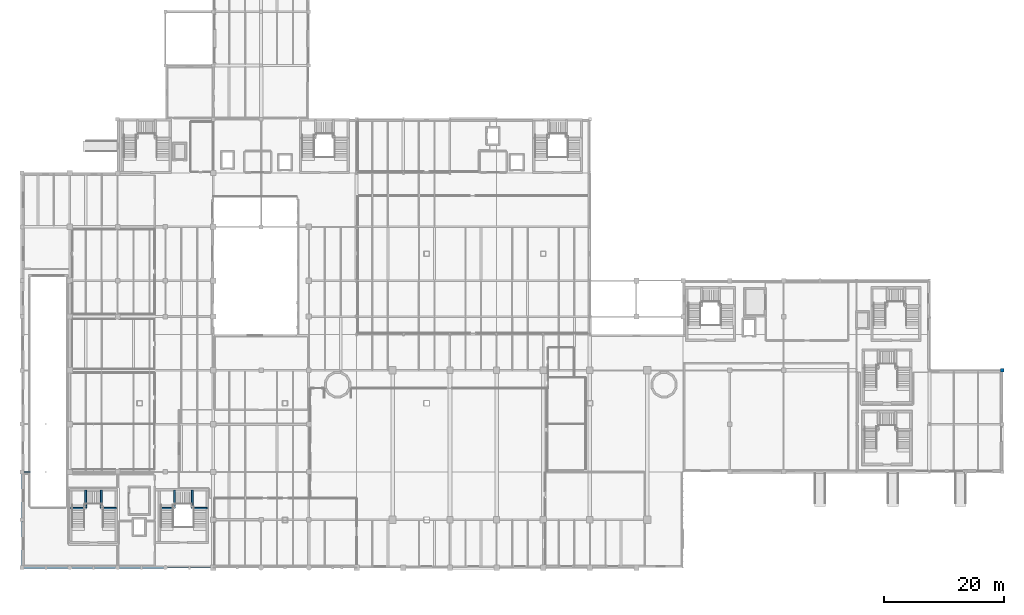
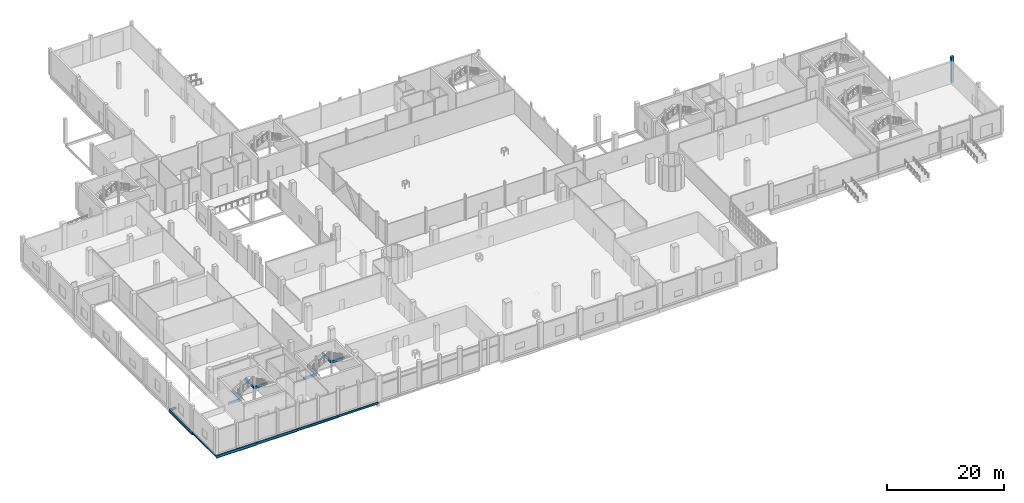
# One storey, part 16 of 57: 15 beams, 1 column.
"""IFC4 building model written with IfcOpenShell, lengths in metres."""

from ifc_helpers import new_model, si_unit, derived_unit, direction, frame, origin, origin_2d, place, context, subcontext, project, spatial, rectangle, i_section, extrude, material, material_profile, profile_set, type_object, element, save


model = new_model("IFC4")

# Units and contexts
model_context = context("Model", 3, precision=1e-05, world=origin(), true_north=direction((0.0, 1.0)))
body_context = subcontext(model_context, "Body", "Model", "MODEL_VIEW")
ifc_project = project(units=[si_unit("LENGTHUNIT", "METRE"), si_unit("AREAUNIT", "SQUARE_METRE"), si_unit("VOLUMEUNIT", "CUBIC_METRE"), si_unit("PLANEANGLEUNIT", "RADIAN"), si_unit("MASSUNIT", "GRAM", prefix="KILO"), derived_unit("THERMALTRANSMITTANCEUNIT", [(si_unit("POWERUNIT", "WATT"), 1), (si_unit("LENGTHUNIT", "METRE"), -2), (si_unit("THERMODYNAMICTEMPERATUREUNIT", "KELVIN"), -1)])], contexts=[model_context])

# Site, building, storey
site_placement = place(None, origin())
site = spatial("IfcSite", under=ifc_project, at=site_placement, CompositionType="ELEMENT")
building_placement = place(site_placement, origin())
building = spatial("IfcBuilding", under=site, at=building_placement, Name="Nallur Shell Playhouse", CompositionType="ELEMENT")
storey_placement = place(building_placement, origin())
storey = spatial("IfcBuildingStorey", under=building, at=storey_placement, Name="L01", CompositionType="ELEMENT", Elevation=0.0)

# Column
ifc_material_1 = material(Name="Concrete M35", Category="concrete")
ifc_material_profile_1 = material_profile(ifc_material_1, rectangle(XDim=0.550048828125, YDim=0.550048828125, at=origin_2d()), Name="RC 550x550")
ifc_profile_set_1 = profile_set([ifc_material_profile_1], Name="Concrete M35")
column_type = type_object("IfcColumnType", Name="CL-RC-550", PredefinedType="COLUMN", material=ifc_profile_set_1)
column_placement = place(storey_placement, frame((172.0, 41.0, 0.0), z_axis=(0.0, 0.0, 1.0), x_axis=(1.0, 0.0, 0.0)))
element("IfcColumn", 1, at=column_placement, inside=storey, type_object=column_type, Name="Column 20-E (L01)", PredefinedType="COLUMN", context=body_context, shape_type="SweptSolid", body=[
    extrude(rectangle(XDim=0.550048828125, YDim=0.550048828125, at=origin_2d()), origin(), (0.0, 0.0, 1.0), 5.360107421875),
])

# Beams
ifc_material_profile_2 = material_profile(ifc_material_1, rectangle(XDim=0.300048828125, YDim=0.449951171875, at=origin_2d()), Name="RC 300x450")
ifc_profile_set_2 = profile_set([ifc_material_profile_2], Name="Concrete M35")
beam_type_1 = type_object("IfcBeamType", Name="BM-SPN-300x450", PredefinedType="SPANDREL", material=ifc_profile_set_2)
beam_1_placement = place(storey_placement, frame((31.02001953125, 17.97998046875, 1.580810546875), z_axis=(1.0, 0.0, 0.0), x_axis=(0.0, 1.0, 0.0)))
element("IfcBeam", 2, at=beam_1_placement, inside=storey, type_object=beam_type_1, Name="Stair ST-01-L01 L1 south bearer beam", PredefinedType="SPANDREL", context=body_context, shape_type="SweptSolid", body=[
    extrude(rectangle(XDim=0.300048828125, YDim=0.449951171875, at=origin_2d()), origin(), (0.0, 0.0, 1.0), 2.56005859375),
])
beam_2_placement = place(storey_placement, frame((33.52001953125, 17.97998046875, 1.580810546875), z_axis=(0.0, 1.0, 0.0), x_axis=(-1.0, 0.0, 0.0)))
element("IfcBeam", 3, at=beam_2_placement, inside=storey, type_object=beam_type_1, Name="Stair ST-01-L01 L1 east bearer beam", PredefinedType="SPANDREL", context=body_context, shape_type="SweptSolid", body=[
    extrude(rectangle(XDim=0.300048828125, YDim=0.449951171875, at=origin_2d()), origin(), (0.0, 0.0, 1.0), 3.0),
])
beam_3_placement = place(storey_placement, frame((36.419921875, 17.97998046875, 3.12353515625), z_axis=(1.0, 0.0, 0.0), x_axis=(0.0, 1.0, 0.0)))
element("IfcBeam", 4, at=beam_3_placement, inside=storey, type_object=beam_type_1, Name="Stair ST-01-L01 L2 south bearer beam", PredefinedType="SPANDREL", context=body_context, shape_type="SweptSolid", body=[
    extrude(rectangle(XDim=0.300048828125, YDim=0.449951171875, at=origin_2d()), origin(), (0.0, 0.0, 1.0), 2.56005859375),
])
beam_4_placement = place(storey_placement, frame((36.47998046875, 17.97998046875, 3.12353515625), z_axis=(0.0, 1.0, 0.0), x_axis=(-1.0, 0.0, 0.0)))
element("IfcBeam", 5, at=beam_4_placement, inside=storey, type_object=beam_type_1, Name="Stair ST-01-L01 L2 west bearer beam", PredefinedType="SPANDREL", context=body_context, shape_type="SweptSolid", body=[
    extrude(rectangle(XDim=0.300048828125, YDim=0.449951171875, at=origin_2d()), origin(), (0.0, 0.0, 1.0), 3.0),
])
beam_5_placement = place(storey_placement, frame((16.169921875, 17.97998046875, 1.580810546875), z_axis=(1.0, 0.0, 0.0), x_axis=(0.0, 1.0, 0.0)))
element("IfcBeam", 6, at=beam_5_placement, inside=storey, type_object=beam_type_1, Name="Stair ST-07-L01 L1 south bearer beam", PredefinedType="SPANDREL", context=body_context, shape_type="SweptSolid", body=[
    extrude(rectangle(XDim=0.300048828125, YDim=0.449951171875, at=origin_2d()), origin(), (0.0, 0.0, 1.0), 2.56005859375),
])
beam_6_placement = place(storey_placement, frame((18.669921875, 17.97998046875, 1.580810546875), z_axis=(0.0, 1.0, 0.0), x_axis=(-1.0, 0.0, 0.0)))
element("IfcBeam", 7, at=beam_6_placement, inside=storey, type_object=beam_type_1, Name="Stair ST-07-L01 L1 east bearer beam", PredefinedType="SPANDREL", context=body_context, shape_type="SweptSolid", body=[
    extrude(rectangle(XDim=0.300048828125, YDim=0.449951171875, at=origin_2d()), origin(), (0.0, 0.0, 1.0), 3.0),
])
beam_7_placement = place(storey_placement, frame((21.219970703125, 17.97998046875, 3.12353515625), z_axis=(1.0, 0.0, 0.0), x_axis=(0.0, 1.0, 0.0)))
element("IfcBeam", 8, at=beam_7_placement, inside=storey, type_object=beam_type_1, Name="Stair ST-07-L01 L2 south bearer beam", PredefinedType="SPANDREL", context=body_context, shape_type="SweptSolid", body=[
    extrude(rectangle(XDim=0.300048828125, YDim=0.449951171875, at=origin_2d()), origin(), (0.0, 0.0, 1.0), 2.56005859375),
])
beam_8_placement = place(storey_placement, frame((21.280029296875, 17.97998046875, 3.12353515625), z_axis=(0.0, 1.0, 0.0), x_axis=(-1.0, 0.0, 0.0)))
element("IfcBeam", 9, at=beam_8_placement, inside=storey, type_object=beam_type_1, Name="Stair ST-07-L01 L2 west bearer beam", PredefinedType="SPANDREL", context=body_context, shape_type="SweptSolid", body=[
    extrude(rectangle(XDim=0.300048828125, YDim=0.449951171875, at=origin_2d()), origin(), (0.0, 0.0, 1.0), 3.0),
])
ifc_material_2 = material(Name="Steel E350", Category="steel")
ifc_material_profile_3 = material_profile(ifc_material_2, i_section(OverallWidth=0.179931640625, OverallDepth=0.5, WebThickness=0.01025390625, FlangeThickness=0.01708984375, FilletRadius=0.01708984375, at=origin_2d()), Name="ISMB 500")
ifc_profile_set_3 = profile_set([ifc_material_profile_3], Name="Steel E350")
beam_type_2 = type_object("IfcBeamType", Name="BM-ST-ISMB500", PredefinedType="BEAM", material=ifc_profile_set_3)
beam_9_placement = place(storey_placement, frame((8.0, 24.0, -0.570068359375), z_axis=(1.0, 0.0, 0.0), x_axis=(0.0, 1.0, 0.0)))
element("IfcBeam", 10, at=beam_9_placement, inside=storey, type_object=beam_type_2, Name="L01 west ramp-edge support beam Y=24.0", PredefinedType="BEAM", context=body_context, shape_type="SweptSolid", body=[
    extrude(i_section(OverallWidth=0.179931640625, OverallDepth=0.5, WebThickness=0.01025390625, FlangeThickness=0.01708984375, FilletRadius=0.01708984375, at=origin_2d()), origin(), (0.0, 0.0, 1.0), 1.39990234375),
])
ifc_material_profile_4 = material_profile(ifc_material_2, i_section(OverallWidth=0.2099609375, OverallDepth=0.60009765625, WebThickness=0.011962890625, FlangeThickness=0.020751953125, FilletRadius=0.02001953125, at=origin_2d()), Name="ISMB 600")
ifc_profile_set_4 = profile_set([ifc_material_profile_4], Name="Steel E350")
beam_type_3 = type_object("IfcBeamType", Name="BM-ST-ISMB600", PredefinedType="BEAM", material=ifc_profile_set_4)
beam_10_placement = place(storey_placement, frame((8.0, 16.0, -0.6201171875), z_axis=(0.0, 1.0, 0.0), x_axis=(-1.0, 0.0, 0.0)))
element("IfcBeam", 11, at=beam_10_placement, inside=storey, type_object=beam_type_3, Name="L01 girder Y-1-88", PredefinedType="BEAM", context=body_context, shape_type="SweptSolid", body=[
    extrude(i_section(OverallWidth=0.2099609375, OverallDepth=0.60009765625, WebThickness=0.011962890625, FlangeThickness=0.020751953125, FilletRadius=0.02001953125, at=origin_2d()), origin(), (0.0, 0.0, 1.0), 8.0),
])
ifc_material_3 = material(Name="Steel E250", Category="steel")
ifc_material_profile_5 = material_profile(ifc_material_3, i_section(OverallWidth=0.199951171875, OverallDepth=0.300048828125, WebThickness=0.00732421875, FlangeThickness=0.010009765625, FilletRadius=0.010986328125, at=origin_2d()), Name="ISWB 300")
ifc_profile_set_5 = profile_set([ifc_material_profile_5], Name="Steel E250")
beam_type_4 = type_object("IfcBeamType", Name="BM-ST-ISWB300", PredefinedType="BEAM", material=ifc_profile_set_5)
beam_11_placement = place(storey_placement, frame((8.0, 8.0, -0.469970703125), z_axis=(0.0, 1.0, 0.0), x_axis=(-1.0, 0.0, 0.0)))
element("IfcBeam", 12, at=beam_11_placement, inside=storey, type_object=beam_type_4, Name="L01 girder Y-1-87", PredefinedType="BEAM", context=body_context, shape_type="SweptSolid", body=[
    extrude(i_section(OverallWidth=0.199951171875, OverallDepth=0.300048828125, WebThickness=0.00732421875, FlangeThickness=0.010009765625, FilletRadius=0.010986328125, at=origin_2d()), origin(), (0.0, 0.0, 1.0), 8.0),
])
ifc_material_profile_6 = material_profile(ifc_material_2, i_section(OverallWidth=0.199951171875, OverallDepth=0.449951171875, WebThickness=0.00927734375, FlangeThickness=0.015380859375, FilletRadius=0.013916015625, at=origin_2d()), Name="ISWB 450")
ifc_profile_set_6 = profile_set([ifc_material_profile_6], Name="Steel E350")
beam_type_5 = type_object("IfcBeamType", Name="BM-ST-ISWB450", PredefinedType="BEAM", material=ifc_profile_set_6)
beam_12_placement = place(storey_placement, frame((32.0, 8.0, -0.544921875), z_axis=(1.0, 0.0, 0.0), x_axis=(0.0, 1.0, 0.0)))
element("IfcBeam", 13, at=beam_12_placement, inside=storey, type_object=beam_type_5, Name="L01 girder X-A-4", PredefinedType="BEAM", context=body_context, shape_type="SweptSolid", body=[
    extrude(i_section(OverallWidth=0.199951171875, OverallDepth=0.449951171875, WebThickness=0.00927734375, FlangeThickness=0.015380859375, FilletRadius=0.013916015625, at=origin_2d()), origin(), (0.0, 0.0, 1.0), 8.0),
])
ifc_material_profile_7 = material_profile(ifc_material_2, i_section(OverallWidth=0.25, OverallDepth=0.5, WebThickness=0.010009765625, FlangeThickness=0.0146484375, FilletRadius=0.014892578125, at=origin_2d()), Name="ISWB 500")
ifc_profile_set_7 = profile_set([ifc_material_profile_7], Name="Steel E350")
beam_type_6 = type_object("IfcBeamType", Name="BM-ST-ISWB500", PredefinedType="BEAM", material=ifc_profile_set_7)
beam_13_placement = place(storey_placement, frame((24.0, 8.0, -0.570068359375), z_axis=(1.0, 0.0, 0.0), x_axis=(0.0, 1.0, 0.0)))
element("IfcBeam", 14, at=beam_13_placement, inside=storey, type_object=beam_type_6, Name="L01 girder X-A-3", PredefinedType="BEAM", context=body_context, shape_type="SweptSolid", body=[
    extrude(i_section(OverallWidth=0.25, OverallDepth=0.5, WebThickness=0.010009765625, FlangeThickness=0.0146484375, FilletRadius=0.014892578125, at=origin_2d()), origin(), (0.0, 0.0, 1.0), 8.0),
])
ifc_material_profile_8 = material_profile(ifc_material_2, i_section(OverallWidth=0.25, OverallDepth=0.550048828125, WebThickness=0.010498046875, FlangeThickness=0.017578125, FilletRadius=0.01611328125, at=origin_2d()), Name="ISWB 550")
ifc_profile_set_8 = profile_set([ifc_material_profile_8], Name="Steel E350")
beam_type_7 = type_object("IfcBeamType", Name="BM-ST-ISWB550", PredefinedType="BEAM", material=ifc_profile_set_8)
beam_14_placement = place(storey_placement, frame((16.0, 8.0, -0.594970703125), z_axis=(1.0, 0.0, 0.0), x_axis=(0.0, 1.0, 0.0)))
element("IfcBeam", 15, at=beam_14_placement, inside=storey, type_object=beam_type_7, Name="L01 girder X-A-2", PredefinedType="BEAM", context=body_context, shape_type="SweptSolid", body=[
    extrude(i_section(OverallWidth=0.25, OverallDepth=0.550048828125, WebThickness=0.010498046875, FlangeThickness=0.017578125, FilletRadius=0.01611328125, at=origin_2d()), origin(), (0.0, 0.0, 1.0), 8.0),
])
ifc_material_profile_9 = material_profile(ifc_material_2, i_section(OverallWidth=0.25, OverallDepth=0.60009765625, WebThickness=0.01171875, FlangeThickness=0.023681640625, FilletRadius=0.01708984375, at=origin_2d()), Name="ISWB 600")
ifc_profile_set_9 = profile_set([ifc_material_profile_9], Name="Steel E350")
beam_type_8 = type_object("IfcBeamType", Name="BM-ST-ISWB600", PredefinedType="BEAM", material=ifc_profile_set_9)
beam_15_placement = place(storey_placement, frame((8.0, 8.0, -0.6201171875), z_axis=(1.0, 0.0, 0.0), x_axis=(0.0, 1.0, 0.0)))
element("IfcBeam", 16, at=beam_15_placement, inside=storey, type_object=beam_type_8, Name="L01 girder X-A-1", PredefinedType="BEAM", context=body_context, shape_type="SweptSolid", body=[
    extrude(i_section(OverallWidth=0.25, OverallDepth=0.60009765625, WebThickness=0.01171875, FlangeThickness=0.023681640625, FilletRadius=0.01708984375, at=origin_2d()), origin(), (0.0, 0.0, 1.0), 8.0),
])

save(model, "model.ifc")
